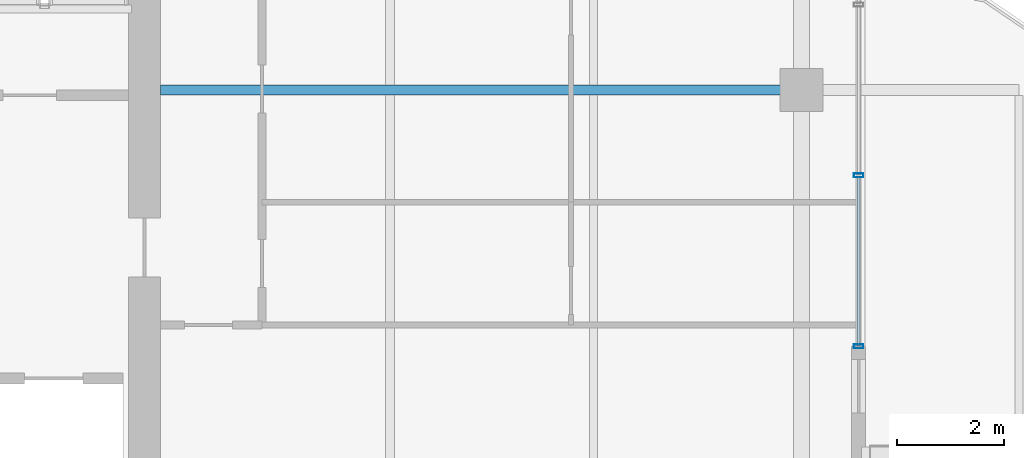
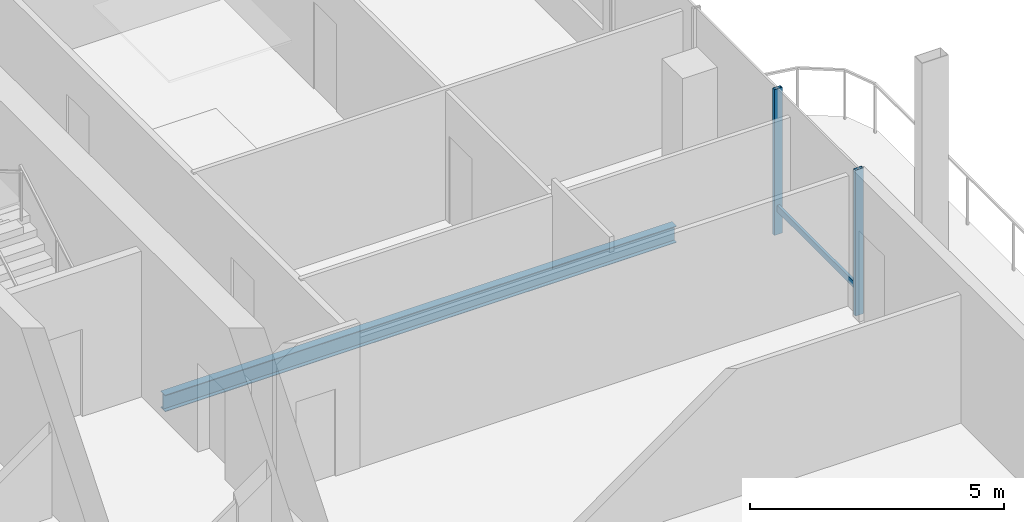
# One storey, part 9 of 22: 3 members, 1 beam, 1 element without a shape of its own.
"""IFC4 building model written with IfcOpenShell, lengths in metres."""

from ifc_helpers import new_model, si_unit, direction, frame, origin, origin_2d, place, context, subcontext, project, spatial, hollow_rectangle, i_section, extrude, material, layer, layer_set, material_profile, profile_set, type_object, element, aggregate, save


model = new_model("IFC4")

# Units and contexts
model_context = context("Model", 3, precision=1e-05, world=origin(), true_north=direction((0.0, 1.0)))
body_context = subcontext(model_context, "Body", "Model", "MODEL_VIEW")
ifc_project = project(units=[si_unit("LENGTHUNIT", "METRE"), si_unit("AREAUNIT", "SQUARE_METRE"), si_unit("VOLUMEUNIT", "CUBIC_METRE"), si_unit("PLANEANGLEUNIT", "RADIAN"), si_unit("MASSUNIT", "GRAM", prefix="KILO")], contexts=[model_context])

# Site, building, storey
site_placement = place(None, origin())
site = spatial("IfcSite", under=ifc_project, at=site_placement, CompositionType="ELEMENT")
building_placement = place(site_placement, origin())
building = spatial("IfcBuilding", under=site, at=building_placement, Name="Belovzor Exchange Tower", CompositionType="ELEMENT")
storey_placement = place(building_placement, frame((0.0, 0.0, 336.75)))
storey = spatial("IfcBuildingStorey", under=building, at=storey_placement, Name="L84", CompositionType="ELEMENT", Elevation=336.75)

# Curtain wall, members
ifc_material_1 = material(Name="Anodised Aluminium Framing", Category="aluminium")
ifc_layer = layer(ifc_material_1, 0.179931640625)
ifc_layer_set = layer_set([ifc_layer], Name="Anodised Aluminium Framing")
curtain_wall_type = type_object("IfcCurtainWallType", Name="Recessed Loggia Low-Iron Triple-Glazed Curtain Wall", PredefinedType="NOTDEFINED", material=ifc_layer_set)
curtain_wall_placement = place(storey_placement, origin())
curtain_wall = element("IfcCurtainWall", 1, at=curtain_wall_placement, inside=storey, type_object=curtain_wall_type, Name="CW3 Recessed Loggia Low-Iron Triple-Glazed Curtain Wall L84", PredefinedType="NOTDEFINED")
ifc_material_2 = material(Name="Steel S355", Category="steel")
ifc_material_profile_1 = material_profile(ifc_material_2, hollow_rectangle(XDim=0.074951171875, YDim=0.179931640625, WallThickness=0.0048828125, at=origin_2d()))
ifc_profile_set_1 = profile_set([ifc_material_profile_1], Name="Steel S355")
member_type_1 = type_object("IfcMemberType", Name="Thermally Broken Curtain Wall Mullion 180x75", PredefinedType="MULLION", material=ifc_profile_set_1)
member_1_placement = place(storey_placement, frame((50.8701171875, 27.199951171875, 0.0), z_axis=(0.0, 0.0, 1.0), x_axis=(0.0, -1.0, 0.0)))
member_1 = element("IfcMember", 2, at=member_1_placement, type_object=member_type_1, Name="CW-M180 Curtain Wall Mullion 3", PredefinedType="MULLION", context=body_context, shape_type="SweptSolid", body=[
    extrude(hollow_rectangle(XDim=0.074951171875, YDim=0.179931640625, WallThickness=0.0048828125, at=origin_2d()), origin(), (0.0, 0.0, 1.0), 3.510009765625),
])
member_2_placement = place(storey_placement, frame((50.8701171875, 24.0, 0.0), z_axis=(0.0, 0.0, 1.0), x_axis=(0.0, -1.0, 0.0)))
member_2 = element("IfcMember", 3, at=member_2_placement, type_object=member_type_1, Name="CW-M180 Curtain Wall Mullion 4", PredefinedType="MULLION", context=body_context, shape_type="SweptSolid", body=[
    extrude(hollow_rectangle(XDim=0.074951171875, YDim=0.179931640625, WallThickness=0.0048828125, at=origin_2d()), origin(), (0.0, 0.0, 1.0), 3.510009765625),
])
ifc_material_3 = material(Name="Steel S355", Category="steel")
ifc_material_profile_2 = material_profile(ifc_material_3, hollow_rectangle(XDim=0.06005859375, YDim=0.14990234375, WallThickness=0.00390625, at=origin_2d()))
ifc_profile_set_2 = profile_set([ifc_material_profile_2], Name="Steel S355")
member_type_2 = type_object("IfcMemberType", Name="Thermally Broken Curtain Wall Transom 150x60", PredefinedType="USERDEFINED", material=ifc_profile_set_2)
member_3_placement = place(storey_placement, frame((50.8701171875, 27.19189453125, 0.632080078125), z_axis=(0.0, -1.0, 0.0), x_axis=(1.0, 0.0, 0.0)))
member_3 = element("IfcMember", 4, at=member_3_placement, type_object=member_type_2, Name="CW-T150 Curtain Wall Transom 3", ObjectType="TRANSOM", PredefinedType="USERDEFINED", context=body_context, shape_type="SweptSolid", body=[
    extrude(hollow_rectangle(XDim=0.06005859375, YDim=0.14990234375, WallThickness=0.00390625, at=origin_2d()), origin(), (0.0, 0.0, 1.0), 3.183837890625),
])
aggregate(curtain_wall, [member_1, member_2, member_3])

# Beam
ifc_material_4 = material(Name="Steel S355", Category="steel")
ifc_material_profile_3 = material_profile(ifc_material_4, i_section(OverallWidth=0.179931640625, OverallDepth=0.39990234375, WebThickness=0.008544921875, FlangeThickness=0.013427734375, at=origin_2d()))
ifc_profile_set_3 = profile_set([ifc_material_profile_3], Name="Steel S355")
beam_type = type_object("IfcBeamType", Name="Zone 5-6 Radial Composite Floor Beam IPE 400", PredefinedType="BEAM", material=ifc_profile_set_3)
beam_placement = place(storey_placement, frame((37.800048828125, 28.800048828125, -0.43994140625), z_axis=(1.0, 0.0, 0.0), x_axis=(0.0, 1.0, 0.0)))
element("IfcBeam", 5, at=beam_placement, inside=storey, type_object=beam_type, Name="FB-400 Zone 5-6 Radial Composite Floor Beam IPE 400", PredefinedType="BEAM", context=body_context, shape_type="SweptSolid", body=[
    extrude(i_section(OverallWidth=0.179931640625, OverallDepth=0.39990234375, WebThickness=0.008544921875, FlangeThickness=0.013427734375, at=origin_2d()), origin(), (0.0, 0.0, 1.0), 11.64794921875),
])

save(model, "model.ifc")
